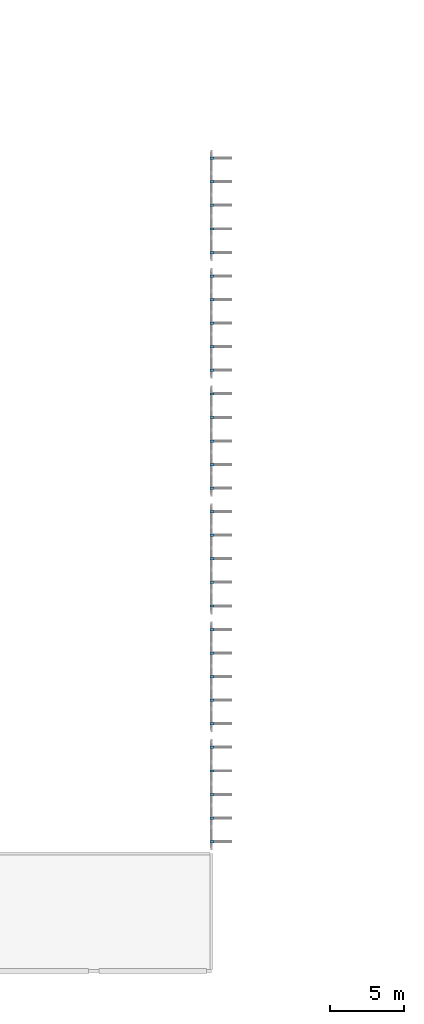
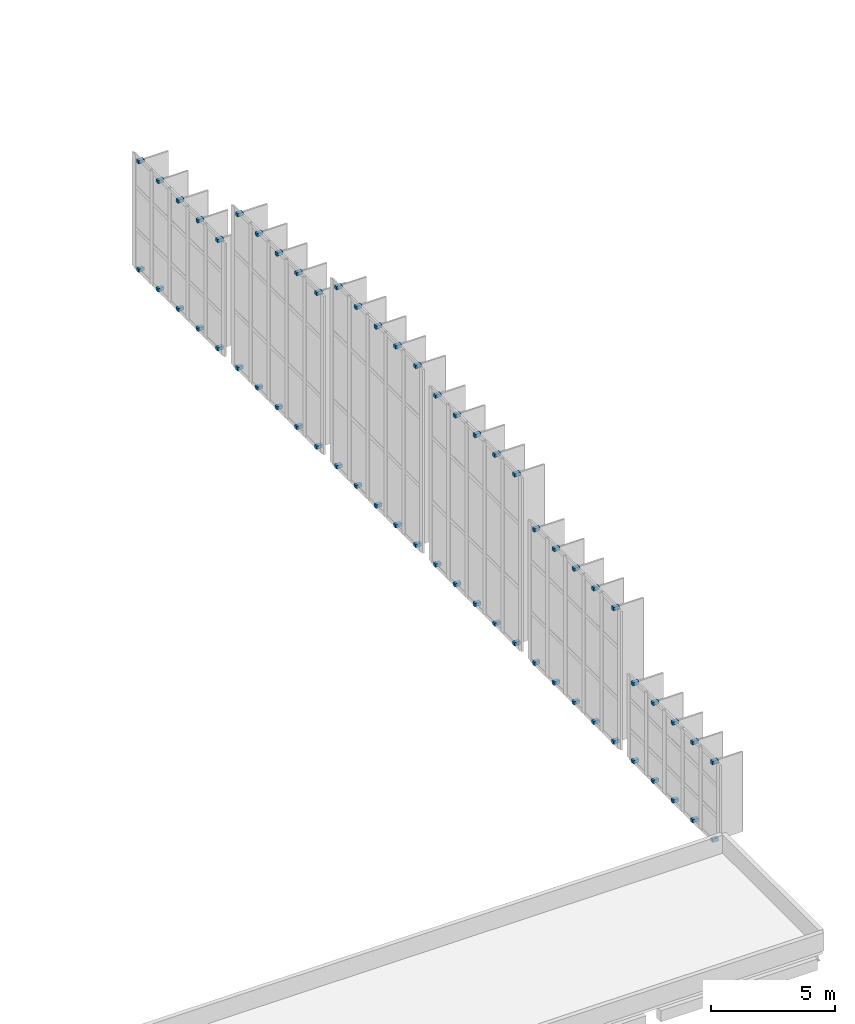
# One storey, part 31 of 38: 60 discrete accessories.
"""IFC4 building model written with IfcOpenShell, lengths in metres."""

import ifcopenshell
import ifcopenshell.guid

model = None  # the IFC model being written
_history = None  # IfcOwnerHistory: only IFC2X3 demands one
_inside = {}  # id of a spatial element -> (the spatial element, [elements in it])
_under = {}  # id of a project, library or spatial element -> (it, [spatial elements below it])
_declared = {}  # id of a project -> (the project, [libraries it declares])
_typed = {}  # id of a type object -> (the type object, [elements of that type])
_made_of = {}  # id of a material, layer set ... -> (it, [elements and type objects made of it])


def new_model(schema):
    """Start an empty IFC model of exactly this schema.

    Asked for "IFC4X3", IfcOpenShell would pick the latest addendum, in which some entities
    have other attributes; the version numbers below select the first issue.
    IFC2X3 requires an IfcOwnerHistory on every rooted entity: one is made here for all.
    """
    global model, _history
    if schema == "IFC4X3":
        model = ifcopenshell.file(schema_version=(4, 3, 0, 0))
    else:
        model = ifcopenshell.file(schema=schema)
    _inside.clear()
    _under.clear()
    _declared.clear()
    _typed.clear()
    _made_of.clear()
    _history = None
    if model.schema == "IFC2X3":
        org = make("IfcOrganization", Name="unknown")
        user = make(
            "IfcPersonAndOrganization",
            ThePerson=make("IfcPerson", FamilyName="unknown"),
            TheOrganization=org,
        )
        app = make(
            "IfcApplication",
            ApplicationDeveloper=org,
            Version="unknown",
            ApplicationFullName="unknown",
            ApplicationIdentifier="unknown",
        )
        _history = make(
            "IfcOwnerHistory",
            OwningUser=user,
            OwningApplication=app,
            ChangeAction="ADDED",
            CreationDate=0,
        )
    return model


def make(cls, **values):
    """One entity of the class cls with the attributes given. An attribute that is None is left unset."""
    return model.create_entity(
        cls, **{name: value for name, value in values.items() if value is not None}
    )


def rooted(cls, **values):
    """An entity with a GlobalId (a new one), such as an element, a storey or a relation."""
    return make(cls, GlobalId=ifcopenshell.guid.new(), OwnerHistory=_history, **values)


def si_unit(unit_type, name, prefix=None):
    """IfcSIUnit, for example si_unit("LENGTHUNIT", "METRE", prefix="MILLI")."""
    return make("IfcSIUnit", UnitType=unit_type, Prefix=prefix, Name=name)


def assignment(units):
    """IfcUnitAssignment: the units of a project."""
    return None if units is None else make("IfcUnitAssignment", Units=units)


def point(xyz):
    """IfcCartesianPoint."""
    return None if xyz is None else make("IfcCartesianPoint", Coordinates=xyz)


def direction(xyz):
    """IfcDirection."""
    return None if xyz is None else make("IfcDirection", DirectionRatios=xyz)


def frame(location, z_axis=None, x_axis=None):
    """IfcAxis2Placement3D, a coordinate frame: its origin and axes. An axis left out is left unset."""
    return make(
        "IfcAxis2Placement3D",
        Location=point(location),
        Axis=direction(z_axis),
        RefDirection=direction(x_axis),
    )


def frame_2d(location, x_axis=None):
    """IfcAxis2Placement2D, a coordinate frame in the plane: its origin and x axis."""
    return make(
        "IfcAxis2Placement2D", Location=point(location), RefDirection=direction(x_axis)
    )


def origin():
    """The frame at (0, 0, 0) with its axes left unset."""
    return frame((0.0, 0.0, 0.0))


def origin_2d():
    """The frame at (0, 0) in the plane with its x axis left unset."""
    return frame_2d((0.0, 0.0))


def place(relative_to, where):
    """IfcLocalPlacement: puts the frame where relative to a parent placement (None: the world)."""
    return make(
        "IfcLocalPlacement", PlacementRelTo=relative_to, RelativePlacement=where
    )


def context(
    kind, dimensions, precision=None, world=None, true_north=None, identifier=None
):
    """IfcGeometricRepresentationContext, for example the 3D "Model" context."""
    return make(
        "IfcGeometricRepresentationContext",
        ContextIdentifier=identifier,
        ContextType=kind,
        CoordinateSpaceDimension=dimensions,
        Precision=precision,
        WorldCoordinateSystem=world,
        TrueNorth=true_north,
    )


def subcontext(parent, identifier, kind, view, scale=None):
    """IfcGeometricRepresentationSubContext, for example "Body" below "Model"."""
    return make(
        "IfcGeometricRepresentationSubContext",
        ContextIdentifier=identifier,
        ContextType=kind,
        ParentContext=parent,
        TargetScale=scale,
        TargetView=view,
    )


def project(units=None, contexts=None):
    """IfcProject with its units and contexts."""
    return rooted(
        "IfcProject",
        Name="project",
        RepresentationContexts=contexts,
        UnitsInContext=assignment(units),
    )


def spatial(cls, under=None, at=None, **own):
    """A site, building, storey or space (cls), placed at a placement, below another one or the project."""
    s = rooted(cls, ObjectPlacement=at, **own)
    if under is not None:
        _under.setdefault(under.id(), (under, []))[1].append(s)
    return s


def profile(cls, at=None, kind="AREA", **sizes):
    """A parametric profile (cls). Its sizes go by their IFC names, for example OverallWidth=200.0."""
    return make(cls, ProfileType=kind, Position=at, **sizes)


def rectangle(**sizes):
    """IfcRectangleProfileDef."""
    return profile("IfcRectangleProfileDef", **sizes)


def extrude(swept, where, along, depth):
    """IfcExtrudedAreaSolid: the profile swept, set in the frame where, extruded along a direction by depth."""
    return make(
        "IfcExtrudedAreaSolid",
        SweptArea=swept,
        Position=where,
        ExtrudedDirection=direction(along),
        Depth=depth,
    )


def shape(context_of_items, identifier, shape_type, items):
    """IfcShapeRepresentation: the items that make up one representation, for example the "Body"."""
    return make(
        "IfcShapeRepresentation",
        ContextOfItems=context_of_items,
        RepresentationIdentifier=identifier,
        RepresentationType=shape_type,
        Items=items,
    )


def material(Name=None, Category=None):
    """IfcMaterial."""
    return make("IfcMaterial", Name=Name, Category=Category)


def made_of(thing, what):
    """Note that an element or type object is made of a material, layer set ...; save() writes the relation."""
    if what is not None:
        _made_of.setdefault(what.id(), (what, []))[1].append(thing)
    return thing


def type_object(cls, material=None, **own):
    """A type object (cls), such as IfcWallType, which elements share."""
    return made_of(rooted(cls, **own), material)


def element(
    cls,
    number,
    at=None,
    inside=None,
    cuts=None,
    type_object=None,
    material=None,
    context=None,
    identifier="Body",
    shape_type=None,
    held_by="IfcProductDefinitionShape",
    body=None,
    shapes=None,
    **own,
):
    """One element of the class cls, such as IfcWall. Its Tag is "e" and its number.

    at: its placement. inside: the storey or other place that contains it. cuts: it is an
    opening in that element (IfcRelVoidsElement). A single representation is given by context,
    identifier, shape_type and body (its items); several are given by shapes. held_by: the class
    of the entity that holds the representations. save() writes the other relations.
    """
    e = rooted(cls, Tag="e%d" % number, ObjectPlacement=at, **own)
    if body is not None:
        shapes = [shape(context, identifier, shape_type, body)]
    if shapes is not None:
        e.Representation = make(held_by, Representations=shapes)
    if inside is not None:
        _inside.setdefault(inside.id(), (inside, []))[1].append(e)
    if cuts is not None:
        rooted(
            "IfcRelVoidsElement", RelatingBuildingElement=cuts, RelatedOpeningElement=e
        )
    if type_object is not None:
        _typed.setdefault(type_object.id(), (type_object, []))[1].append(e)
    return made_of(e, material)


def aggregate(whole, parts):
    """IfcRelAggregates: a whole, such as a stair, and the parts it consists of."""
    return rooted("IfcRelAggregates", RelatingObject=whole, RelatedObjects=parts)


def save(model, path):
    """Write the relations noted so far, then the file.

    IfcRelAggregates (storeys below a building ...), IfcRelContainedInSpatialStructure (elements
    in a storey), IfcRelDefinesByType, IfcRelAssociatesMaterial and IfcRelDeclares: one each for
    every whole, place, type object, material and project.
    """
    for whole, parts in _under.values():
        aggregate(whole, parts)
    for where, things in _inside.values():
        rooted(
            "IfcRelContainedInSpatialStructure",
            RelatedElements=things,
            RelatingStructure=where,
        )
    for kind, things in _typed.values():
        rooted("IfcRelDefinesByType", RelatedObjects=things, RelatingType=kind)
    for what, things in _made_of.values():
        rooted("IfcRelAssociatesMaterial", RelatedObjects=things, RelatingMaterial=what)
    for by, libraries in _declared.values():
        rooted("IfcRelDeclares", RelatingContext=by, RelatedDefinitions=libraries)
    model.write(path)


model = new_model("IFC4")

# Units and contexts
model_context = context("Model", 3, precision=1e-05, world=origin(), true_north=direction((0.0, 1.0)))
body_context = subcontext(model_context, "Body", "Model", "MODEL_VIEW")
ifc_project = project(units=[si_unit("LENGTHUNIT", "METRE"), si_unit("AREAUNIT", "SQUARE_METRE"), si_unit("VOLUMEUNIT", "CUBIC_METRE"), si_unit("PLANEANGLEUNIT", "RADIAN"), si_unit("MASSUNIT", "GRAM", prefix="KILO")], contexts=[model_context])

# Site, building, storey
site_placement = place(None, origin())
site = spatial("IfcSite", under=ifc_project, at=site_placement, CompositionType="ELEMENT")
building_placement = place(site_placement, origin())
building = spatial("IfcBuilding", under=site, at=building_placement, Name="Drelvana Railside Aquatics Centre", CompositionType="ELEMENT")
storey_placement = place(building_placement, frame((0.0, 0.0, 14.39990234375)))
storey = spatial("IfcBuildingStorey", under=building, at=storey_placement, Name="L03", CompositionType="ELEMENT", Elevation=14.39990234375)

# Discrete accessories
ifc_material = material(Name="Stainless steel 316 facade bracket", Category="steel")
discrete_accessory_type = type_object("IfcDiscreteAccessoryType", Name="ACC-BRACKET-FIN", PredefinedType="BRACKET", material=ifc_material)
for number, where, z_axis, x_axis, name in (
    (1, (96.030029296875, 24.800048828125, 0.01513671875), (0.0, 0.0, 1.0), (1.0, 0.0, 0.0), "Shading fin bracket BK-0815"),
    (2, (96.030029296875, 24.800048828125, 3.8623046875), (0.0, 0.0, 1.0), (1.0, 0.0, 0.0), "Shading fin bracket BK-0816"),
    (3, (96.030029296875, 26.39990234375, 0.01513671875), (0.0, 0.0, 1.0), (1.0, 0.0, 0.0), "Shading fin bracket BK-0817"),
    (4, (96.030029296875, 26.39990234375, 3.8623046875), (0.0, 0.0, 1.0), (1.0, 0.0, 0.0), "Shading fin bracket BK-0818"),
    (5, (96.030029296875, 28.0, 0.01513671875), (0.0, 0.0, 1.0), (1.0, 0.0, 0.0), "Shading fin bracket BK-0819"),
    (6, (96.030029296875, 28.0, 3.8623046875), (0.0, 0.0, 1.0), (1.0, 0.0, 0.0), "Shading fin bracket BK-0820"),
    (7, (96.030029296875, 29.60009765625, 0.01513671875), (0.0, 0.0, 1.0), (1.0, 0.0, 0.0), "Shading fin bracket BK-0821"),
    (8, (96.030029296875, 29.60009765625, 3.8623046875), (0.0, 0.0, 1.0), (1.0, 0.0, 0.0), "Shading fin bracket BK-0822"),
    (9, (96.030029296875, 31.199951171875, 0.01513671875), (0.0, 0.0, 1.0), (1.0, 0.0, 0.0), "Shading fin bracket BK-0823"),
    (10, (96.030029296875, 31.199951171875, 3.8623046875), (0.0, 0.0, 1.0), (1.0, 0.0, 0.0), "Shading fin bracket BK-0824"),
    (11, (96.030029296875, 32.800048828125, 0.01513671875), (0.0, 0.0, 1.0), (1.0, 0.0, 0.0), "Shading fin bracket BK-0825"),
    (12, (96.030029296875, 32.800048828125, 6.60302734375), (0.0, 0.0, 1.0), (1.0, 0.0, 0.0), "Shading fin bracket BK-0826"),
    (13, (96.030029296875, 34.39990234375, 0.01513671875), (0.0, 0.0, 1.0), (1.0, 0.0, 0.0), "Shading fin bracket BK-0827"),
    (14, (96.030029296875, 34.39990234375, 6.60302734375), (0.0, 0.0, 1.0), (1.0, 0.0, 0.0), "Shading fin bracket BK-0828"),
    (15, (96.030029296875, 36.0, 0.01513671875), (0.0, 0.0, 1.0), (1.0, 0.0, 0.0), "Shading fin bracket BK-0829"),
    (16, (96.030029296875, 36.0, 6.60302734375), (0.0, 0.0, 1.0), (1.0, 0.0, 0.0), "Shading fin bracket BK-0830"),
    (17, (96.030029296875, 37.60009765625, 0.01513671875), (0.0, 0.0, 1.0), (1.0, 0.0, 0.0), "Shading fin bracket BK-0831"),
    (18, (96.030029296875, 37.60009765625, 6.60302734375), (0.0, 0.0, 1.0), (1.0, 0.0, 0.0), "Shading fin bracket BK-0832"),
    (19, (96.030029296875, 39.199951171875, 0.01513671875), (0.0, 0.0, 1.0), (1.0, 0.0, 0.0), "Shading fin bracket BK-0833"),
    (20, (96.030029296875, 39.199951171875, 6.60302734375), (0.0, 0.0, 1.0), (1.0, 0.0, 0.0), "Shading fin bracket BK-0834"),
    (21, (96.030029296875, 40.800048828125, 0.01513671875), (0.0, 0.0, 1.0), (1.0, 0.0, 0.0), "Shading fin bracket BK-0835"),
    (22, (96.030029296875, 40.800048828125, 8.34619140625), (0.0, 0.0, 1.0), (1.0, 0.0, 0.0), "Shading fin bracket BK-0836"),
    (23, (96.030029296875, 42.39990234375, 0.01513671875), (0.0, 0.0, 1.0), (1.0, 0.0, 0.0), "Shading fin bracket BK-0837"),
    (24, (96.030029296875, 42.39990234375, 8.34619140625), (0.0, 0.0, 1.0), (1.0, 0.0, 0.0), "Shading fin bracket BK-0838"),
    (25, (96.030029296875, 44.0, 0.01513671875), (0.0, 0.0, 1.0), (1.0, 0.0, 0.0), "Shading fin bracket BK-0839"),
    (26, (96.030029296875, 44.0, 8.34619140625), (0.0, 0.0, 1.0), (1.0, 0.0, 0.0), "Shading fin bracket BK-0840"),
    (27, (96.030029296875, 45.60009765625, 0.01513671875), (0.0, 0.0, 1.0), (1.0, 0.0, 0.0), "Shading fin bracket BK-0841"),
    (28, (96.030029296875, 45.60009765625, 8.34619140625), (0.0, 0.0, 1.0), (1.0, 0.0, 0.0), "Shading fin bracket BK-0842"),
    (29, (96.030029296875, 47.199951171875, 0.01513671875), (0.0, 0.0, 1.0), (1.0, 0.0, 0.0), "Shading fin bracket BK-0843"),
    (30, (96.030029296875, 47.199951171875, 8.34619140625), (0.0, 0.0, 1.0), (1.0, 0.0, 0.0), "Shading fin bracket BK-0844"),
    (31, (96.030029296875, 48.800048828125, 0.01513671875), (0.0, 0.0, 1.0), (1.0, 0.0, 0.0), "Shading fin bracket BK-0845"),
    (32, (96.030029296875, 48.800048828125, 8.84521484375), (0.0, 0.0, 1.0), (1.0, 0.0, 0.0), "Shading fin bracket BK-0846"),
    (33, (96.030029296875, 50.39990234375, 0.01513671875), (0.0, 0.0, 1.0), (1.0, 0.0, 0.0), "Shading fin bracket BK-0847"),
    (34, (96.030029296875, 50.39990234375, 8.84521484375), (0.0, 0.0, 1.0), (1.0, 0.0, 0.0), "Shading fin bracket BK-0848"),
    (35, (96.030029296875, 52.0, 0.01513671875), (0.0, 0.0, 1.0), (1.0, 0.0, 0.0), "Shading fin bracket BK-0849"),
    (36, (96.030029296875, 52.0, 8.84521484375), (0.0, 0.0, 1.0), (1.0, 0.0, 0.0), "Shading fin bracket BK-0850"),
    (37, (96.030029296875, 53.60009765625, 0.01513671875), (0.0, 0.0, 1.0), (1.0, 0.0, 0.0), "Shading fin bracket BK-0851"),
    (38, (96.030029296875, 53.60009765625, 8.84521484375), (0.0, 0.0, 1.0), (1.0, 0.0, 0.0), "Shading fin bracket BK-0852"),
    (39, (96.030029296875, 55.199951171875, 0.01513671875), (0.0, 0.0, 1.0), (1.0, 0.0, 0.0), "Shading fin bracket BK-0853"),
    (40, (96.030029296875, 55.199951171875, 8.84521484375), (0.0, 0.0, 1.0), (1.0, 0.0, 0.0), "Shading fin bracket BK-0854"),
    (41, (96.030029296875, 56.800048828125, 0.01513671875), (0.0, 0.0, 1.0), (1.0, 0.0, 0.0), "Shading fin bracket BK-0855"),
    (42, (96.030029296875, 56.800048828125, 7.59912109375), (0.0, 0.0, 1.0), (1.0, 0.0, 0.0), "Shading fin bracket BK-0856"),
    (43, (96.030029296875, 58.39990234375, 0.01513671875), (0.0, 0.0, 1.0), (1.0, 0.0, 0.0), "Shading fin bracket BK-0857"),
    (44, (96.030029296875, 58.39990234375, 7.59912109375), (0.0, 0.0, 1.0), (1.0, 0.0, 0.0), "Shading fin bracket BK-0858"),
    (45, (96.030029296875, 60.0, 0.01513671875), (0.0, 0.0, 1.0), (1.0, 0.0, 0.0), "Shading fin bracket BK-0859"),
    (46, (96.030029296875, 60.0, 7.59912109375), (0.0, 0.0, 1.0), (1.0, 0.0, 0.0), "Shading fin bracket BK-0860"),
    (47, (96.030029296875, 61.60009765625, 0.01513671875), (0.0, 0.0, 1.0), (1.0, 0.0, 0.0), "Shading fin bracket BK-0861"),
    (48, (96.030029296875, 61.60009765625, 7.59912109375), (0.0, 0.0, 1.0), (1.0, 0.0, 0.0), "Shading fin bracket BK-0862"),
    (49, (96.030029296875, 63.199951171875, 0.01513671875), (0.0, 0.0, 1.0), (1.0, 0.0, 0.0), "Shading fin bracket BK-0863"),
    (50, (96.030029296875, 63.199951171875, 7.59912109375), (0.0, 0.0, 1.0), (1.0, 0.0, 0.0), "Shading fin bracket BK-0864"),
    (51, (96.030029296875, 64.800048828125, 0.01513671875), (0.0, 0.0, 1.0), (1.0, 0.0, 0.0), "Shading fin bracket BK-0865"),
    (52, (96.030029296875, 64.800048828125, 5.35693359375), (0.0, 0.0, 1.0), (1.0, 0.0, 0.0), "Shading fin bracket BK-0866"),
    (53, (96.030029296875, 66.39990234375, 0.01513671875), (0.0, 0.0, 1.0), (1.0, 0.0, 0.0), "Shading fin bracket BK-0867"),
    (54, (96.030029296875, 66.39990234375, 5.35693359375), (0.0, 0.0, 1.0), (1.0, 0.0, 0.0), "Shading fin bracket BK-0868"),
    (55, (96.030029296875, 68.0, 0.01513671875), (0.0, 0.0, 1.0), (1.0, 0.0, 0.0), "Shading fin bracket BK-0869"),
    (56, (96.030029296875, 68.0, 5.35693359375), (0.0, 0.0, 1.0), (1.0, 0.0, 0.0), "Shading fin bracket BK-0870"),
    (57, (96.030029296875, 69.60009765625, 0.01513671875), (0.0, 0.0, 1.0), (1.0, 0.0, 0.0), "Shading fin bracket BK-0871"),
    (58, (96.030029296875, 69.60009765625, 5.35693359375), (0.0, 0.0, 1.0), (1.0, 0.0, 0.0), "Shading fin bracket BK-0872"),
    (59, (96.030029296875, 71.199951171875, 0.01513671875), (0.0, 0.0, 1.0), (1.0, 0.0, 0.0), "Shading fin bracket BK-0873"),
    (60, (96.030029296875, 71.199951171875, 5.35693359375), (0.0, 0.0, 1.0), (1.0, 0.0, 0.0), "Shading fin bracket BK-0874"),
):
    element("IfcDiscreteAccessory", number, at=place(storey_placement, frame(where, z_axis=z_axis, x_axis=x_axis)), inside=storey, type_object=discrete_accessory_type, Name=name, PredefinedType="BRACKET", context=body_context, shape_type="SweptSolid", body=[
        extrude(rectangle(XDim=0.280029296875, YDim=0.159912109375, at=origin_2d()), origin(), (0.0, 0.0, 1.0), 0.159912109375),
    ])

save(model, "model.ifc")
